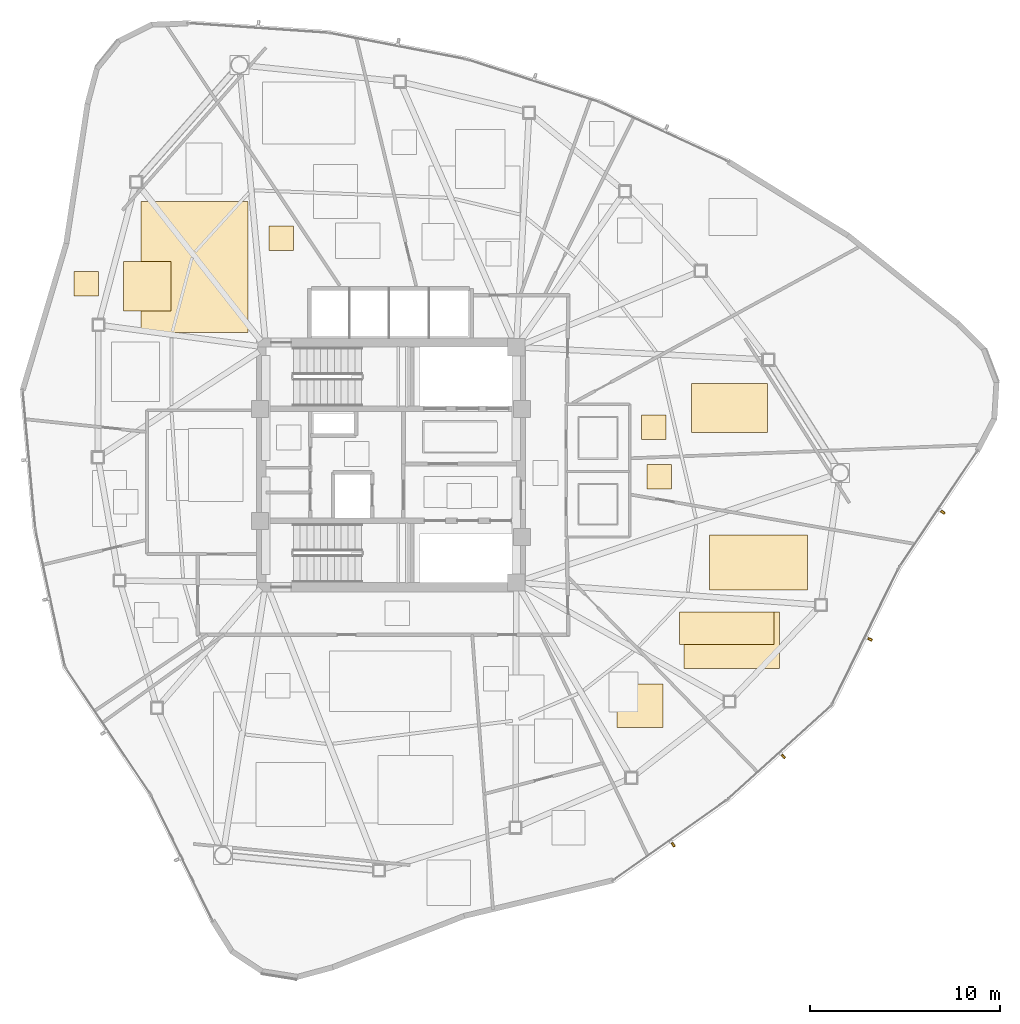
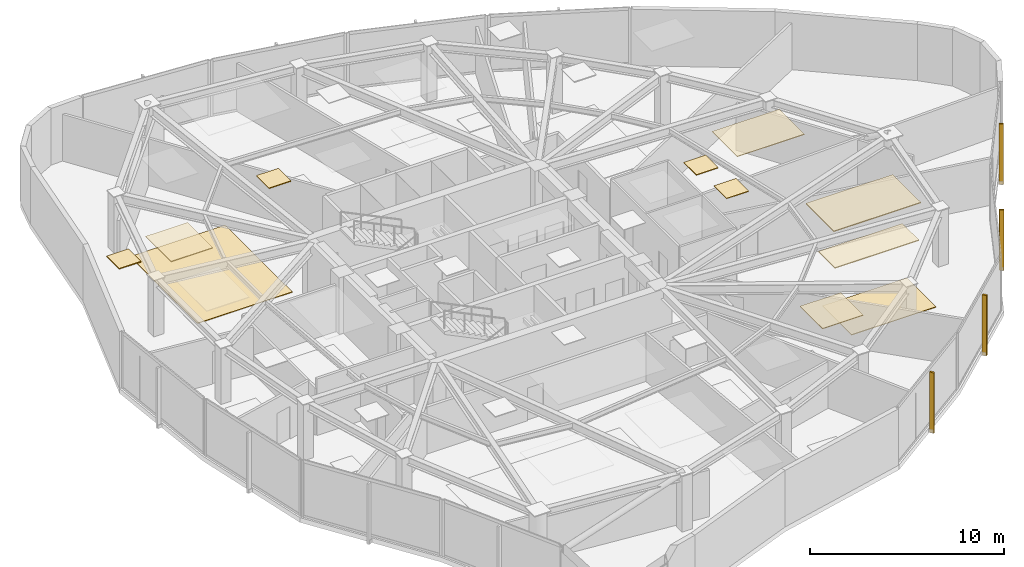
# One storey, part 16 of 17: 11 coverings, 4 shading devices.
"""IFC4 building model written with IfcOpenShell, lengths in metres."""

import ifcopenshell
import ifcopenshell.guid

model = None  # the IFC model being written
_history = None  # IfcOwnerHistory: only IFC2X3 demands one
_inside = {}  # id of a spatial element -> (the spatial element, [elements in it])
_under = {}  # id of a project, library or spatial element -> (it, [spatial elements below it])
_declared = {}  # id of a project -> (the project, [libraries it declares])
_typed = {}  # id of a type object -> (the type object, [elements of that type])
_made_of = {}  # id of a material, layer set ... -> (it, [elements and type objects made of it])


def new_model(schema):
    """Start an empty IFC model of exactly this schema.

    Asked for "IFC4X3", IfcOpenShell would pick the latest addendum, in which some entities
    have other attributes; the version numbers below select the first issue.
    IFC2X3 requires an IfcOwnerHistory on every rooted entity: one is made here for all.
    """
    global model, _history
    if schema == "IFC4X3":
        model = ifcopenshell.file(schema_version=(4, 3, 0, 0))
    else:
        model = ifcopenshell.file(schema=schema)
    _inside.clear()
    _under.clear()
    _declared.clear()
    _typed.clear()
    _made_of.clear()
    _history = None
    if model.schema == "IFC2X3":
        org = make("IfcOrganization", Name="unknown")
        user = make(
            "IfcPersonAndOrganization",
            ThePerson=make("IfcPerson", FamilyName="unknown"),
            TheOrganization=org,
        )
        app = make(
            "IfcApplication",
            ApplicationDeveloper=org,
            Version="unknown",
            ApplicationFullName="unknown",
            ApplicationIdentifier="unknown",
        )
        _history = make(
            "IfcOwnerHistory",
            OwningUser=user,
            OwningApplication=app,
            ChangeAction="ADDED",
            CreationDate=0,
        )
    return model


def make(cls, **values):
    """One entity of the class cls with the attributes given. An attribute that is None is left unset."""
    return model.create_entity(
        cls, **{name: value for name, value in values.items() if value is not None}
    )


def rooted(cls, **values):
    """An entity with a GlobalId (a new one), such as an element, a storey or a relation."""
    return make(cls, GlobalId=ifcopenshell.guid.new(), OwnerHistory=_history, **values)


def si_unit(unit_type, name, prefix=None):
    """IfcSIUnit, for example si_unit("LENGTHUNIT", "METRE", prefix="MILLI")."""
    return make("IfcSIUnit", UnitType=unit_type, Prefix=prefix, Name=name)


def assignment(units):
    """IfcUnitAssignment: the units of a project."""
    return None if units is None else make("IfcUnitAssignment", Units=units)


def point(xyz):
    """IfcCartesianPoint."""
    return None if xyz is None else make("IfcCartesianPoint", Coordinates=xyz)


def direction(xyz):
    """IfcDirection."""
    return None if xyz is None else make("IfcDirection", DirectionRatios=xyz)


def frame(location, z_axis=None, x_axis=None):
    """IfcAxis2Placement3D, a coordinate frame: its origin and axes. An axis left out is left unset."""
    return make(
        "IfcAxis2Placement3D",
        Location=point(location),
        Axis=direction(z_axis),
        RefDirection=direction(x_axis),
    )


def frame_2d(location, x_axis=None):
    """IfcAxis2Placement2D, a coordinate frame in the plane: its origin and x axis."""
    return make(
        "IfcAxis2Placement2D", Location=point(location), RefDirection=direction(x_axis)
    )


def origin():
    """The frame at (0, 0, 0) with its axes left unset."""
    return frame((0.0, 0.0, 0.0))


def origin_2d():
    """The frame at (0, 0) in the plane with its x axis left unset."""
    return frame_2d((0.0, 0.0))


def place(relative_to, where):
    """IfcLocalPlacement: puts the frame where relative to a parent placement (None: the world)."""
    return make(
        "IfcLocalPlacement", PlacementRelTo=relative_to, RelativePlacement=where
    )


def context(
    kind, dimensions, precision=None, world=None, true_north=None, identifier=None
):
    """IfcGeometricRepresentationContext, for example the 3D "Model" context."""
    return make(
        "IfcGeometricRepresentationContext",
        ContextIdentifier=identifier,
        ContextType=kind,
        CoordinateSpaceDimension=dimensions,
        Precision=precision,
        WorldCoordinateSystem=world,
        TrueNorth=true_north,
    )


def subcontext(parent, identifier, kind, view, scale=None):
    """IfcGeometricRepresentationSubContext, for example "Body" below "Model"."""
    return make(
        "IfcGeometricRepresentationSubContext",
        ContextIdentifier=identifier,
        ContextType=kind,
        ParentContext=parent,
        TargetScale=scale,
        TargetView=view,
    )


def project(units=None, contexts=None):
    """IfcProject with its units and contexts."""
    return rooted(
        "IfcProject",
        Name="project",
        RepresentationContexts=contexts,
        UnitsInContext=assignment(units),
    )


def spatial(cls, under=None, at=None, **own):
    """A site, building, storey or space (cls), placed at a placement, below another one or the project."""
    s = rooted(cls, ObjectPlacement=at, **own)
    if under is not None:
        _under.setdefault(under.id(), (under, []))[1].append(s)
    return s


def polyline(points):
    """IfcPolyline through the points."""
    return make("IfcPolyline", Points=[point(p) for p in points])


def profile(cls, at=None, kind="AREA", **sizes):
    """A parametric profile (cls). Its sizes go by their IFC names, for example OverallWidth=200.0."""
    return make(cls, ProfileType=kind, Position=at, **sizes)


def rectangle(**sizes):
    """IfcRectangleProfileDef."""
    return profile("IfcRectangleProfileDef", **sizes)


def outline(outer, holes=None, kind="AREA"):
    """IfcArbitraryClosedProfileDef: a profile drawn as a closed curve; with holes, ...WithVoids."""
    if holes is None:
        return make("IfcArbitraryClosedProfileDef", ProfileType=kind, OuterCurve=outer)
    return make(
        "IfcArbitraryProfileDefWithVoids",
        ProfileType=kind,
        OuterCurve=outer,
        InnerCurves=holes,
    )


def extrude(swept, where, along, depth):
    """IfcExtrudedAreaSolid: the profile swept, set in the frame where, extruded along a direction by depth."""
    return make(
        "IfcExtrudedAreaSolid",
        SweptArea=swept,
        Position=where,
        ExtrudedDirection=direction(along),
        Depth=depth,
    )


def shape(context_of_items, identifier, shape_type, items):
    """IfcShapeRepresentation: the items that make up one representation, for example the "Body"."""
    return make(
        "IfcShapeRepresentation",
        ContextOfItems=context_of_items,
        RepresentationIdentifier=identifier,
        RepresentationType=shape_type,
        Items=items,
    )


def source(mapping_origin, context_of_items, identifier, shape_type, items):
    """IfcRepresentationMap: a shape defined once, which mapped items show again and again."""
    return make(
        "IfcRepresentationMap",
        MappingOrigin=mapping_origin,
        MappedRepresentation=shape(context_of_items, identifier, shape_type, items),
    )


def transform(
    local_origin,
    x_axis=None,
    y_axis=None,
    z_axis=None,
    scale=None,
    scale2=None,
    scale3=None,
    uniform=True,
):
    """IfcCartesianTransformationOperator3D, or its non-uniform kind. x_axis, y_axis, z_axis: its Axis1, 2, 3."""
    if uniform:
        return make(
            "IfcCartesianTransformationOperator3D",
            Axis1=direction(x_axis),
            Axis2=direction(y_axis),
            LocalOrigin=point(local_origin),
            Scale=scale,
            Axis3=direction(z_axis),
        )
    return make(
        "IfcCartesianTransformationOperator3DnonUniform",
        Axis1=direction(x_axis),
        Axis2=direction(y_axis),
        LocalOrigin=point(local_origin),
        Scale=scale,
        Axis3=direction(z_axis),
        Scale2=scale2,
        Scale3=scale3,
    )


def mapped(mapping_source, mapping_target):
    """IfcMappedItem: shows the shape of a source again, moved by a transform."""
    return make(
        "IfcMappedItem", MappingSource=mapping_source, MappingTarget=mapping_target
    )


def material(Name=None, Category=None):
    """IfcMaterial."""
    return make("IfcMaterial", Name=Name, Category=Category)


def layer(
    of_material, thickness, ventilated=None, Name=None, Category=None, Priority=None
):
    """IfcMaterialLayer: one layer of a wall or slab, of a material (None: an air gap)."""
    return make(
        "IfcMaterialLayer",
        Material=of_material,
        LayerThickness=thickness,
        IsVentilated=ventilated,
        Name=Name,
        Category=Category,
        Priority=Priority,
    )


def layer_set(layers, Name=None):
    """IfcMaterialLayerSet."""
    return make("IfcMaterialLayerSet", MaterialLayers=layers, LayerSetName=Name)


def made_of(thing, what):
    """Note that an element or type object is made of a material, layer set ...; save() writes the relation."""
    if what is not None:
        _made_of.setdefault(what.id(), (what, []))[1].append(thing)
    return thing


def type_object(cls, material=None, **own):
    """A type object (cls), such as IfcWallType, which elements share."""
    return made_of(rooted(cls, **own), material)


def type_shapes(of_type, sources):
    """Give a type object the sources (RepresentationMaps) that its elements show as mapped items."""
    of_type.RepresentationMaps = sources


def element(
    cls,
    number,
    at=None,
    inside=None,
    cuts=None,
    type_object=None,
    material=None,
    context=None,
    identifier="Body",
    shape_type=None,
    held_by="IfcProductDefinitionShape",
    body=None,
    shapes=None,
    **own,
):
    """One element of the class cls, such as IfcWall. Its Tag is "e" and its number.

    at: its placement. inside: the storey or other place that contains it. cuts: it is an
    opening in that element (IfcRelVoidsElement). A single representation is given by context,
    identifier, shape_type and body (its items); several are given by shapes. held_by: the class
    of the entity that holds the representations. save() writes the other relations.
    """
    e = rooted(cls, Tag="e%d" % number, ObjectPlacement=at, **own)
    if body is not None:
        shapes = [shape(context, identifier, shape_type, body)]
    if shapes is not None:
        e.Representation = make(held_by, Representations=shapes)
    if inside is not None:
        _inside.setdefault(inside.id(), (inside, []))[1].append(e)
    if cuts is not None:
        rooted(
            "IfcRelVoidsElement", RelatingBuildingElement=cuts, RelatedOpeningElement=e
        )
    if type_object is not None:
        _typed.setdefault(type_object.id(), (type_object, []))[1].append(e)
    return made_of(e, material)


def aggregate(whole, parts):
    """IfcRelAggregates: a whole, such as a stair, and the parts it consists of."""
    return rooted("IfcRelAggregates", RelatingObject=whole, RelatedObjects=parts)


def save(model, path):
    """Write the relations noted so far, then the file.

    IfcRelAggregates (storeys below a building ...), IfcRelContainedInSpatialStructure (elements
    in a storey), IfcRelDefinesByType, IfcRelAssociatesMaterial and IfcRelDeclares: one each for
    every whole, place, type object, material and project.
    """
    for whole, parts in _under.values():
        aggregate(whole, parts)
    for where, things in _inside.values():
        rooted(
            "IfcRelContainedInSpatialStructure",
            RelatedElements=things,
            RelatingStructure=where,
        )
    for kind, things in _typed.values():
        rooted("IfcRelDefinesByType", RelatedObjects=things, RelatingType=kind)
    for what, things in _made_of.values():
        rooted("IfcRelAssociatesMaterial", RelatedObjects=things, RelatingMaterial=what)
    for by, libraries in _declared.values():
        rooted("IfcRelDeclares", RelatingContext=by, RelatedDefinitions=libraries)
    model.write(path)


model = new_model("IFC4")

# Units and contexts
model_context = context("Model", 3, precision=1e-05, world=origin(), true_north=direction((0.0, 1.0)))
body_context = subcontext(model_context, "Body", "Model", "MODEL_VIEW")
ifc_project = project(units=[si_unit("LENGTHUNIT", "METRE"), si_unit("AREAUNIT", "SQUARE_METRE"), si_unit("VOLUMEUNIT", "CUBIC_METRE"), si_unit("PLANEANGLEUNIT", "RADIAN"), si_unit("MASSUNIT", "GRAM", prefix="KILO")], contexts=[model_context])

# Site, building, storey
site_placement = place(None, origin())
site = spatial("IfcSite", under=ifc_project, at=site_placement, CompositionType="ELEMENT")
building_placement = place(site_placement, origin())
building = spatial("IfcBuilding", under=site, at=building_placement, Name="Tavelor Broadcast Tower", CompositionType="ELEMENT")
storey_placement = place(building_placement, frame((0.0, 0.0, 196.449951171875)))
storey = spatial("IfcBuildingStorey", under=building, at=storey_placement, Name="L47", CompositionType="ELEMENT", Elevation=196.449951171875)

# Coverings
ifc_material_1 = material(Name="Acoustic Hardwood Studio Flooring", Category="wood")
ifc_layer_1 = layer(ifc_material_1, 0.034912109375)
ifc_layer_set_1 = layer_set([ifc_layer_1], Name="Acoustic Hardwood Studio Flooring")
covering_type_1 = type_object("IfcCoveringType", Name="Isolated Studio Acoustic Elastomeric Floor Finish 35 mm", PredefinedType="FLOORING", material=ifc_layer_set_1)
covering_1_placement = place(storey_placement, origin())
element("IfcCovering", 1, at=covering_1_placement, inside=storey, type_object=covering_type_1, Name="L47 Broadcast Floor Finish 0714", PredefinedType="FLOORING", context=body_context, shape_type="SweptSolid", body=[
    extrude(outline(polyline([(65.4501953125, 34.2587890625), (70.46728515625, 34.2587890625), (70.46728515625, 37.254638671875), (65.4501953125, 37.254638671875), (65.4501953125, 34.2587890625)])), origin(), (0.0, 0.0, 1.0), 0.03515625),
])
covering_2_placement = place(storey_placement, origin())
element("IfcCovering", 2, at=covering_2_placement, inside=storey, type_object=covering_type_1, Name="L47 Broadcast Floor Finish 0720", PredefinedType="FLOORING", context=body_context, shape_type="SweptSolid", body=[
    extrude(outline(polyline([(36.81640625, 51.977783203125), (42.45556640625, 51.977783203125), (42.45556640625, 58.891845703125), (36.81640625, 58.891845703125), (36.81640625, 51.977783203125)])), origin(), (0.0, 0.0, 1.0), 0.03515625),
])
ifc_material_2 = material(Name="Acoustic Perforated Timber Baffle", Category="wood")
ifc_layer_2 = layer(ifc_material_2, 0.054931640625)
ifc_layer_set_2 = layer_set([ifc_layer_2], Name="Acoustic Perforated Timber Baffle")
covering_type_2 = type_object("IfcCoveringType", Name="Micro-Perforated Acoustic Baffle Studio Ceiling 55 mm", PredefinedType="CEILING", material=ifc_layer_set_2)
covering_3_placement = place(storey_placement, frame((0.0, 0.0, 3.4951171875)))
element("IfcCovering", 3, at=covering_3_placement, inside=storey, type_object=covering_type_2, Name="L47 Suspended Acoustic Ceiling 1964", PredefinedType="CEILING", context=body_context, shape_type="SweptSolid", body=[
    extrude(outline(polyline([(66.793212890625, 38.416748046875), (71.962890625, 38.416748046875), (71.962890625, 41.304931640625), (66.793212890625, 41.304931640625), (66.793212890625, 38.416748046875)])), origin(), (0.0, 0.0, 1.0), 0.054931640625),
])
covering_4_placement = place(storey_placement, frame((0.0, 0.0, 3.4951171875)))
element("IfcCovering", 4, at=covering_4_placement, inside=storey, type_object=covering_type_2, Name="L47 Suspended Acoustic Ceiling 1965", PredefinedType="CEILING", context=body_context, shape_type="SweptSolid", body=[
    extrude(outline(polyline([(65.200439453125, 35.542236328125), (70.193115234375, 35.542236328125), (70.193115234375, 37.24951171875), (65.200439453125, 37.24951171875), (65.200439453125, 35.542236328125)])), origin(), (0.0, 0.0, 1.0), 0.054931640625),
])
covering_5_placement = place(storey_placement, frame((0.0, 0.0, 3.4951171875)))
element("IfcCovering", 5, at=covering_5_placement, inside=storey, type_object=covering_type_2, Name="L47 Suspended Acoustic Ceiling 1974", PredefinedType="CEILING", context=body_context, shape_type="SweptSolid", body=[
    extrude(outline(polyline([(33.277099609375, 53.8955078125), (34.576904296875, 53.8955078125), (34.576904296875, 55.195556640625), (33.277099609375, 55.195556640625), (33.277099609375, 53.8955078125)])), origin(), (0.0, 0.0, 1.0), 0.054931640625),
])
covering_6_placement = place(storey_placement, frame((0.0, 0.0, 3.4951171875)))
element("IfcCovering", 6, at=covering_6_placement, inside=storey, type_object=covering_type_2, Name="L47 Suspended Acoustic Ceiling 1975", PredefinedType="CEILING", context=body_context, shape_type="SweptSolid", body=[
    extrude(outline(polyline([(35.90185546875, 53.112548828125), (38.393310546875, 53.112548828125), (38.393310546875, 55.72216796875), (35.90185546875, 55.72216796875), (35.90185546875, 53.112548828125)])), origin(), (0.0, 0.0, 1.0), 0.054931640625),
])
covering_7_placement = place(storey_placement, frame((0.0, 0.0, 3.4951171875)))
element("IfcCovering", 7, at=covering_7_placement, inside=storey, type_object=covering_type_2, Name="L47 Suspended Acoustic Ceiling 1977", PredefinedType="CEILING", context=body_context, shape_type="SweptSolid", body=[
    extrude(outline(polyline([(43.560791015625, 56.292236328125), (44.860595703125, 56.292236328125), (44.860595703125, 57.59228515625), (43.560791015625, 57.59228515625), (43.560791015625, 56.292236328125)])), origin(), (0.0, 0.0, 1.0), 0.054931640625),
])
ifc_material_3 = material(Name="Acoustic Mineral Fibre Tile")
ifc_layer_3 = layer(ifc_material_3, 0.0400390625)
ifc_layer_set_3 = layer_set([ifc_layer_3], Name="Acoustic Mineral Fibre Tile")
covering_type_3 = type_object("IfcCoveringType", Name="Suspended Acoustic Mineral-Fibre Office Ceiling 40 mm", PredefinedType="CEILING", material=ifc_layer_set_3)
covering_8_placement = place(storey_placement, frame((0.0, 0.0, 3.510009765625)))
element("IfcCovering", 8, at=covering_8_placement, inside=storey, type_object=covering_type_3, Name="L47 Suspended Acoustic Ceiling 1963", PredefinedType="CEILING", context=body_context, shape_type="SweptSolid", body=[
    extrude(outline(polyline([(63.49609375, 43.7255859375), (64.796142578125, 43.7255859375), (64.796142578125, 45.025390625), (63.49609375, 45.025390625), (63.49609375, 43.7255859375)])), origin(), (0.0, 0.0, 1.0), 0.0400390625),
])
covering_9_placement = place(storey_placement, frame((0.0, 0.0, 3.510009765625)))
element("IfcCovering", 9, at=covering_9_placement, inside=storey, type_object=covering_type_3, Name="L47 Suspended Acoustic Ceiling 1966", PredefinedType="CEILING", context=body_context, shape_type="SweptSolid", body=[
    extrude(outline(polyline([(61.923095703125, 31.14306640625), (64.343505859375, 31.14306640625), (64.343505859375, 33.46142578125), (61.923095703125, 33.46142578125), (61.923095703125, 31.14306640625)])), origin(), (0.0, 0.0, 1.0), 0.0400390625),
])
covering_10_placement = place(storey_placement, frame((0.0, 0.0, 3.510009765625)))
element("IfcCovering", 10, at=covering_10_placement, inside=storey, type_object=covering_type_3, Name="L47 Suspended Acoustic Ceiling 1988", PredefinedType="CEILING", context=body_context, shape_type="SweptSolid", body=[
    extrude(outline(polyline([(65.844970703125, 46.70849609375), (69.833740234375, 46.70849609375), (69.833740234375, 49.2978515625), (65.844970703125, 49.2978515625), (65.844970703125, 46.70849609375)])), origin(), (0.0, 0.0, 1.0), 0.0400390625),
])
covering_11_placement = place(storey_placement, frame((0.0, 0.0, 3.510009765625)))
element("IfcCovering", 11, at=covering_11_placement, inside=storey, type_object=covering_type_3, Name="L47 Suspended Acoustic Ceiling 1989", PredefinedType="CEILING", context=body_context, shape_type="SweptSolid", body=[
    extrude(outline(polyline([(63.194580078125, 46.3291015625), (64.49462890625, 46.3291015625), (64.49462890625, 47.62890625), (63.194580078125, 47.62890625), (63.194580078125, 46.3291015625)])), origin(), (0.0, 0.0, 1.0), 0.0400390625),
])

# Shading devices
ifc_material_4 = material(Name="Kiln-Fired Glazed Terracotta", Category="masonry")
shading_device_type = type_object("IfcShadingDeviceType", Name="Extruded Terracotta Baguette Sun-Screen 110x240", PredefinedType="JALOUSIE", material=ifc_material_4)
shared_shape = source(origin(), body_context, "Body", "SweptSolid", [
    extrude(rectangle(XDim=0.110107421875, YDim=0.239990234375, at=origin_2d()), origin(), (0.0, 0.0, 1.0), 3.7900390625),
])
type_shapes(shading_device_type, [shared_shape])
for number, where, z_axis, x_axis, name in (
    (12, (64.875, 24.974609375, -0.260009765625), (0.0, 0.0, 1.0), (0.816943635719, 0.576717518425, 0.0), "L47 Terracotta Baguette Fin 497"),
    (13, (70.683349609375, 29.6279296875, -0.260009765625), (0.0, 0.0, 1.0), (0.741039025868, 0.671461958818, 0.0), "L47 Terracotta Baguette Fin 498"),
    (14, (75.252197265625, 35.803955078125, -0.260009765625), (0.0, 0.0, 1.0), (0.439468903432, 0.898257804261, 0.0), "L47 Terracotta Baguette Fin 499"),
    (15, (79.093017578125, 42.50146484375, -0.260009765625), (0.0, 0.0, 1.0), (0.558034803938, 0.829817544761, 0.0), "L47 Terracotta Baguette Fin 500"),
):
    element("IfcShadingDevice", number, at=place(storey_placement, frame(where, z_axis=z_axis, x_axis=x_axis)), inside=storey, type_object=shading_device_type, Name=name, PredefinedType="JALOUSIE", context=body_context, shape_type="MappedRepresentation", body=[
        mapped(shared_shape, transform((0.0, 0.0, 0.0), scale=1.0)),
    ])

save(model, "model.ifc")
